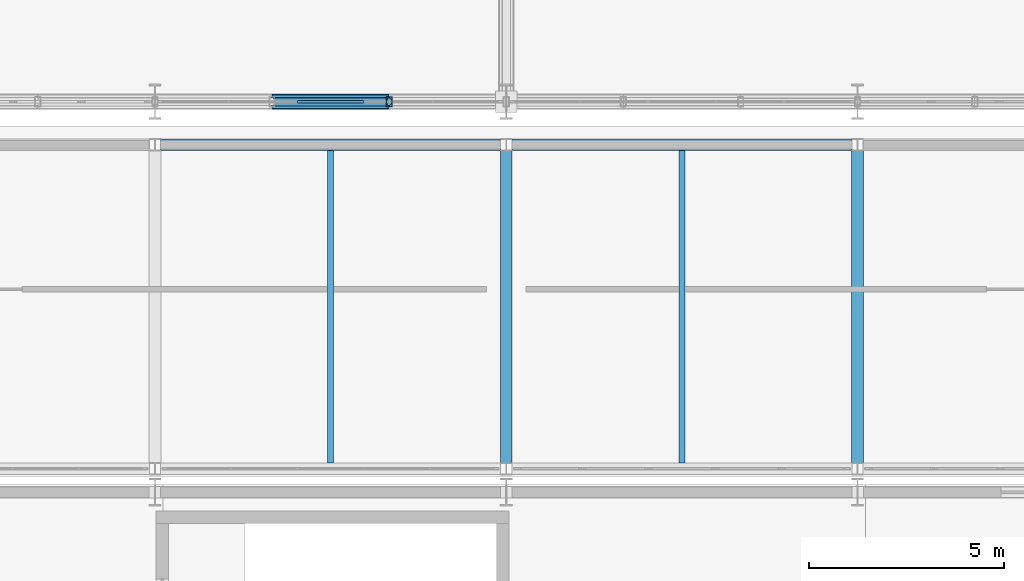
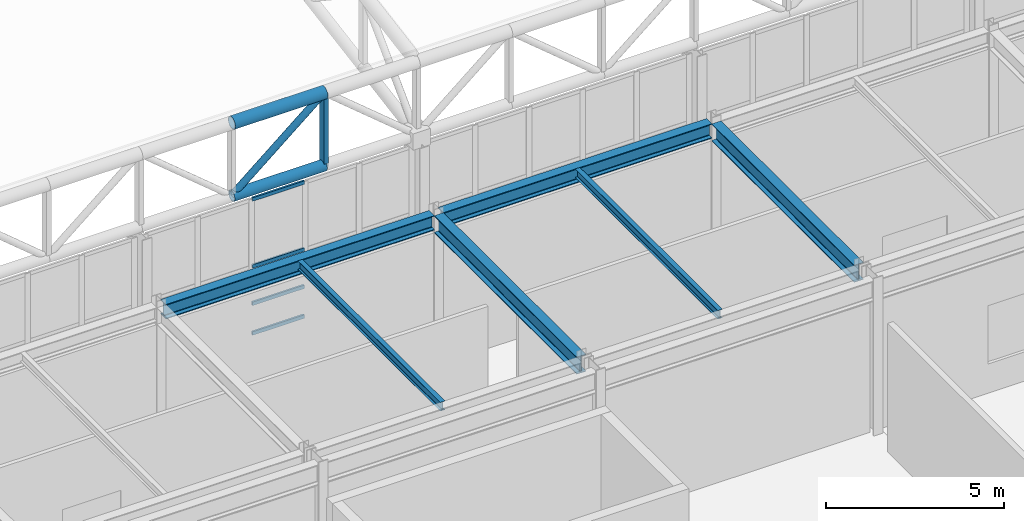
# One storey, part 41 of 239: 8 members, 6 beams, 1 element without a shape of its own.
"""IFC4 building model written with IfcOpenShell, lengths in metres."""

from ifc_helpers import new_model, si_unit, direction, frame, origin, origin_2d, place, context, subcontext, project, spatial, hollow_rectangle, hollow_circle, i_section, extrude, material, material_profile, profile_set, type_object, element, aggregate, save


model = new_model("IFC4")

# Units and contexts
model_context = context("Model", 3, precision=1e-05, world=origin(), true_north=direction((0.0, 1.0)))
body_context = subcontext(model_context, "Body", "Model", "MODEL_VIEW")
ifc_project = project(units=[si_unit("LENGTHUNIT", "METRE"), si_unit("AREAUNIT", "SQUARE_METRE"), si_unit("VOLUMEUNIT", "CUBIC_METRE"), si_unit("PLANEANGLEUNIT", "RADIAN"), si_unit("MASSUNIT", "GRAM", prefix="KILO")], contexts=[model_context])

# Site, building, storey
site_placement = place(None, origin())
site = spatial("IfcSite", under=ifc_project, at=site_placement, CompositionType="ELEMENT")
building_placement = place(site_placement, origin())
building = spatial("IfcBuilding", under=site, at=building_placement, Name="Kaldris Quays Convention Centre", CompositionType="ELEMENT")
storey_placement = place(building_placement, frame((0.0, 0.0, 11.39990234375)))
storey = spatial("IfcBuildingStorey", under=building, at=storey_placement, Name="L02", CompositionType="ELEMENT", Elevation=11.39990234375)

# Curtain wall, members
ifc_material_1 = material(Name="Anodized aluminium AW-6060 and triple glazing", Category="aluminium")
curtain_wall_type = type_object("IfcCurtainWallType", Name="UNITISED CURTAIN WALL CW03", PredefinedType="NOTDEFINED", material=ifc_material_1)
curtain_wall_placement = place(storey_placement, origin())
curtain_wall = element("IfcCurtainWall", 1, at=curtain_wall_placement, inside=storey, type_object=curtain_wall_type, Name="L02 Unitised Curtain Wall CW03 233", PredefinedType="NOTDEFINED")
ifc_material_2 = material(Name="Anodized aluminium AW-6060", Category="aluminium")
ifc_material_profile_1 = material_profile(ifc_material_2, hollow_rectangle(XDim=0.06005859375, YDim=0.1201171875, WallThickness=0.00390625, at=origin_2d()), Name="RHS 120x60x4")
ifc_profile_set_1 = profile_set([ifc_material_profile_1], Name="Anodized aluminium AW-6060")
member_type_1 = type_object("IfcMemberType", Name="CURTAIN TRANSOM CWT1", PredefinedType="USERDEFINED", material=ifc_profile_set_1)
member_1_placement = place(storey_placement, frame((50.657958984375, 56.0, 2.22509765625), z_axis=(1.0, 0.0, 0.0), x_axis=(0.0, 1.0, 0.0)))
member_1 = element("IfcMember", 2, at=member_1_placement, type_object=member_type_1, Name="CW03 transom 3.1", ObjectType="TRANSOM", PredefinedType="USERDEFINED", context=body_context, shape_type="SweptSolid", body=[
    extrude(hollow_rectangle(XDim=0.06005859375, YDim=0.1201171875, WallThickness=0.00390625, at=origin_2d()), origin(), (0.0, 0.0, 1.0), 1.68408203125),
])
member_2_placement = place(storey_placement, frame((50.657958984375, 56.0, 3.2451171875), z_axis=(1.0, 0.0, 0.0), x_axis=(0.0, 1.0, 0.0)))
member_2 = element("IfcMember", 3, at=member_2_placement, type_object=member_type_1, Name="CW03 transom 3.2", ObjectType="TRANSOM", PredefinedType="USERDEFINED", context=body_context, shape_type="SweptSolid", body=[
    extrude(hollow_rectangle(XDim=0.06005859375, YDim=0.1201171875, WallThickness=0.00390625, at=origin_2d()), origin(), (0.0, 0.0, 1.0), 1.68408203125),
])
member_3_placement = place(storey_placement, frame((50.657958984375, 56.0, 4.522216796875), z_axis=(1.0, 0.0, 0.0), x_axis=(0.0, 1.0, 0.0)))
member_3 = element("IfcMember", 4, at=member_3_placement, type_object=member_type_1, Name="CW03 transom 3.3", ObjectType="TRANSOM", PredefinedType="USERDEFINED", context=body_context, shape_type="SweptSolid", body=[
    extrude(hollow_rectangle(XDim=0.06005859375, YDim=0.1201171875, WallThickness=0.00390625, at=origin_2d()), origin(), (0.0, 0.0, 1.0), 1.68408203125),
])
member_4_placement = place(storey_placement, frame((50.657958984375, 56.0, 6.820068359375), z_axis=(1.0, 0.0, 0.0), x_axis=(0.0, 1.0, 0.0)))
member_4 = element("IfcMember", 5, at=member_4_placement, type_object=member_type_1, Name="CW03 transom 3.4", ObjectType="TRANSOM", PredefinedType="USERDEFINED", context=body_context, shape_type="SweptSolid", body=[
    extrude(hollow_rectangle(XDim=0.06005859375, YDim=0.1201171875, WallThickness=0.00390625, at=origin_2d()), origin(), (0.0, 0.0, 1.0), 1.68408203125),
])
aggregate(curtain_wall, [member_1, member_2, member_3, member_4])

# Beams
ifc_material_3 = material(Name="Steel S355J2", Category="steel")
ifc_material_profile_2 = material_profile(ifc_material_3, i_section(OverallWidth=0.300048828125, OverallDepth=0.5, WebThickness=0.014404296875, FlangeThickness=0.028076171875, FilletRadius=0.027099609375, at=origin_2d()), Name="HEB 500")
ifc_profile_set_2 = profile_set([ifc_material_profile_2], Name="Steel S355J2")
beam_type_1 = type_object("IfcBeamType", Name="STRUCTURAL BEAM BM06", PredefinedType="BEAM", material=ifc_profile_set_2)
for number, where, z_axis, x_axis, name in (
    (6, (47.14404296875, 54.89990234375, 4.943115234375), (1.0, 0.0, 0.0), (0.0, 1.0, 0.0), "L02 Girder BM06 9"),
    (7, (56.14404296875, 54.89990234375, 4.943115234375), (1.0, 0.0, 0.0), (0.0, 1.0, 0.0), "L02 Girder BM06 10"),
):
    element("IfcBeam", number, at=place(storey_placement, frame(where, z_axis=z_axis, x_axis=x_axis)), inside=storey, type_object=beam_type_1, Name=name, PredefinedType="BEAM", context=body_context, shape_type="SweptSolid", body=[
        extrude(i_section(OverallWidth=0.300048828125, OverallDepth=0.5, WebThickness=0.014404296875, FlangeThickness=0.028076171875, FilletRadius=0.027099609375, at=origin_2d()), origin(), (0.0, 0.0, 1.0), 8.7119140625),
    ])
ifc_material_profile_3 = material_profile(ifc_material_3, i_section(OverallWidth=0.300048828125, OverallDepth=0.590087890625, WebThickness=0.012939453125, FlangeThickness=0.02490234375, FilletRadius=0.027099609375, at=origin_2d()), Name="HEA 600")
ifc_profile_set_3 = profile_set([ifc_material_profile_3], Name="Steel S355J2")
beam_type_2 = type_object("IfcBeamType", Name="STRUCTURAL BEAM BM08", PredefinedType="BEAM", material=ifc_profile_set_3)
for number, where, z_axis, x_axis, name in (
    (8, (56.0, 46.7490234375, 4.898193359375), (0.0, 1.0, 0.0), (-1.0, 0.0, 0.0), "L02 Girder BM08 16"),
    (9, (65.0, 46.7490234375, 4.898193359375), (0.0, 1.0, 0.0), (-1.0, 0.0, 0.0), "L02 Girder BM08 17"),
):
    element("IfcBeam", number, at=place(storey_placement, frame(where, z_axis=z_axis, x_axis=x_axis)), inside=storey, type_object=beam_type_2, Name=name, PredefinedType="BEAM", context=body_context, shape_type="SweptSolid", body=[
        extrude(i_section(OverallWidth=0.300048828125, OverallDepth=0.590087890625, WebThickness=0.012939453125, FlangeThickness=0.02490234375, FilletRadius=0.027099609375, at=origin_2d()), origin(), (0.0, 0.0, 1.0), 8.001953125),
    ])
ifc_material_profile_4 = material_profile(ifc_material_3, i_section(OverallWidth=0.14990234375, OverallDepth=0.300048828125, WebThickness=0.007080078125, FlangeThickness=0.0107421875, FilletRadius=0.014892578125, at=origin_2d()), Name="IPE 300")
ifc_profile_set_4 = profile_set([ifc_material_profile_4], Name="Steel S355J2")
beam_type_3 = type_object("IfcBeamType", Name="STRUCTURAL BEAM JT04", PredefinedType="JOIST", material=ifc_profile_set_4)
for number, where, z_axis, x_axis, name in (
    (10, (51.5, 46.743896484375, 5.043212890625), (0.0, 1.0, 0.0), (-1.0, 0.0, 0.0), "L02 Secondary Joist JT04 3"),
    (11, (60.5, 46.743896484375, 5.043212890625), (0.0, 1.0, 0.0), (-1.0, 0.0, 0.0), "L02 Secondary Joist JT04 4"),
):
    element("IfcBeam", number, at=place(storey_placement, frame(where, z_axis=z_axis, x_axis=x_axis)), inside=storey, type_object=beam_type_3, Name=name, PredefinedType="JOIST", context=body_context, shape_type="SweptSolid", body=[
        extrude(i_section(OverallWidth=0.14990234375, OverallDepth=0.300048828125, WebThickness=0.007080078125, FlangeThickness=0.0107421875, FilletRadius=0.014892578125, at=origin_2d()), origin(), (0.0, 0.0, 1.0), 8.01220703125),
    ])

# Members
ifc_material_4 = material(Name="Steel S355J2H", Category="steel")
ifc_material_profile_5 = material_profile(ifc_material_4, hollow_circle(Radius=0.203125, WallThickness=0.01611328125, at=origin_2d()), Name="CHS 406.4x16")
ifc_profile_set_5 = profile_set([ifc_material_profile_5], Name="Steel S355J2H")
member_type_2 = type_object("IfcMemberType", Name="STRUCTURAL MEMBER SC01", PredefinedType="CHORD", material=ifc_profile_set_5)
member_5_placement = place(storey_placement, frame((50.0, 56.0, 9.671875), z_axis=(1.0, 0.0, 0.0), x_axis=(0.0, 1.0, 0.0)))
element("IfcMember", 12, at=member_5_placement, inside=storey, type_object=member_type_2, Name="SF-V1 Top Chord X 11", PredefinedType="CHORD", context=body_context, shape_type="SweptSolid", body=[
    extrude(hollow_circle(Radius=0.203125, WallThickness=0.01611328125, at=origin_2d()), origin(), (0.0, 0.0, 1.0), 3.0),
])
ifc_material_profile_6 = material_profile(ifc_material_4, hollow_circle(Radius=0.177734375, WallThickness=0.01611328125, at=origin_2d()), Name="CHS 355.6x16")
ifc_profile_set_6 = profile_set([ifc_material_profile_6], Name="Steel S355J2H")
member_type_3 = type_object("IfcMemberType", Name="STRUCTURAL MEMBER SC02", PredefinedType="CHORD", material=ifc_profile_set_6)
member_6_placement = place(storey_placement, frame((50.0, 56.0, 7.171875), z_axis=(1.0, 0.0, 0.0), x_axis=(0.0, 1.0, 0.0)))
element("IfcMember", 13, at=member_6_placement, inside=storey, type_object=member_type_3, Name="SF-V1 Bottom Chord X 11", PredefinedType="CHORD", context=body_context, shape_type="SweptSolid", body=[
    extrude(hollow_circle(Radius=0.177734375, WallThickness=0.01611328125, at=origin_2d()), origin(), (0.0, 0.0, 1.0), 3.0),
])
ifc_material_profile_7 = material_profile(ifc_material_4, hollow_circle(Radius=0.109619140625, WallThickness=0.010009765625, at=origin_2d()), Name="CHS 219.1x10")
ifc_profile_set_7 = profile_set([ifc_material_profile_7], Name="Steel S355J2H")
member_type_4 = type_object("IfcMemberType", Name="STRUCTURAL MEMBER SWB1", PredefinedType="BRACE", material=ifc_profile_set_7)
member_7_placement = place(storey_placement, frame((50.0, 56.0, 7.171875), z_axis=(0.768221279597, 0.0, 0.640184399664), x_axis=(0.0, 1.0, 0.0)))
element("IfcMember", 14, at=member_7_placement, inside=storey, type_object=member_type_4, Name="SF-V1 Web Diagonal X 11", PredefinedType="BRACE", context=body_context, shape_type="SweptSolid", body=[
    extrude(hollow_circle(Radius=0.109619140625, WallThickness=0.010009765625, at=origin_2d()), origin(), (0.0, 0.0, 1.0), 3.905029296875),
])
ifc_material_profile_8 = material_profile(ifc_material_4, hollow_rectangle(XDim=0.14990234375, YDim=0.25, WallThickness=0.010009765625, at=origin_2d()), Name="RHS 250x150x10")
ifc_profile_set_8 = profile_set([ifc_material_profile_8], Name="Steel S355J2H")
member_type_5 = type_object("IfcMemberType", Name="STRUCTURAL MEMBER TTV1", PredefinedType="POST", material=ifc_profile_set_8)
member_8_placement = place(storey_placement, frame((53.0, 56.0, 7.171875), z_axis=(0.0, 0.0, 1.0), x_axis=(1.0, 0.0, 0.0)))
element("IfcMember", 15, at=member_8_placement, inside=storey, type_object=member_type_5, Name="SF-V1 Space-Frame Post 131", PredefinedType="POST", context=body_context, shape_type="SweptSolid", body=[
    extrude(hollow_rectangle(XDim=0.14990234375, YDim=0.25, WallThickness=0.010009765625, at=origin_2d()), origin(), (0.0, 0.0, 1.0), 2.5),
])

save(model, "model.ifc")
